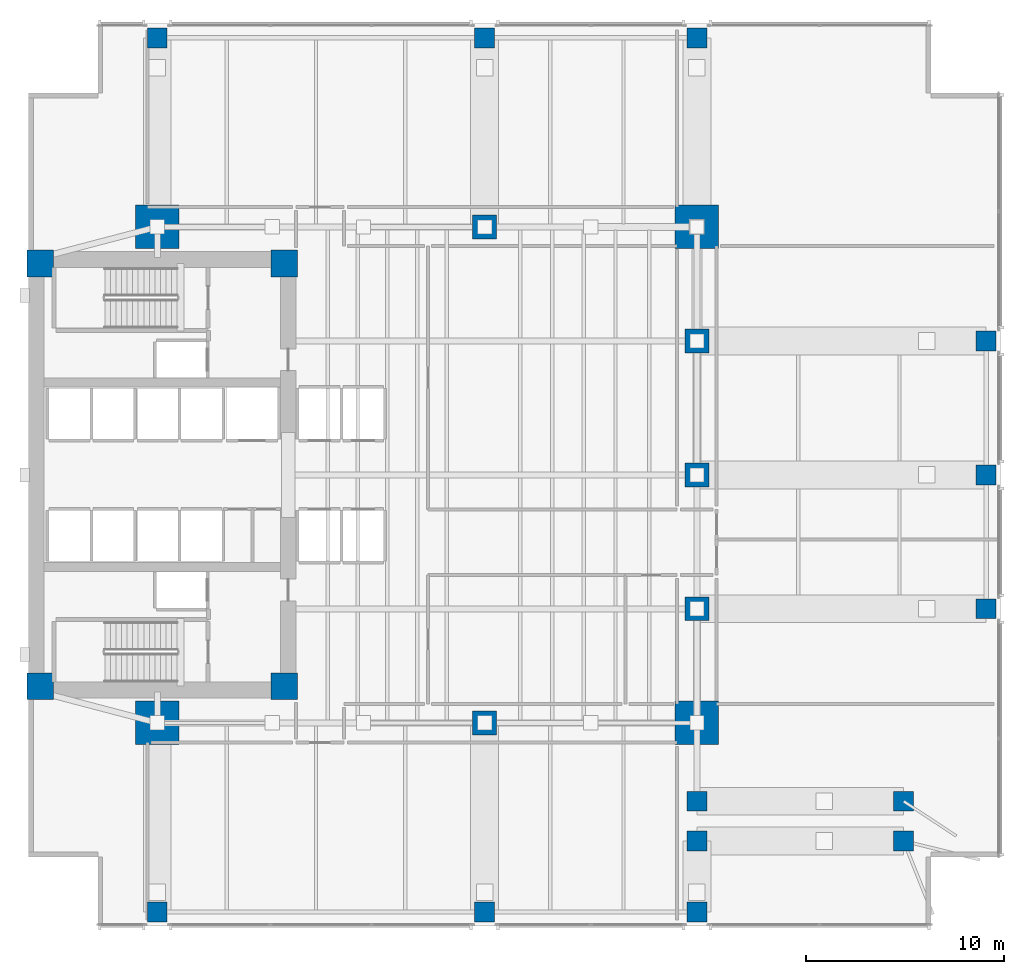
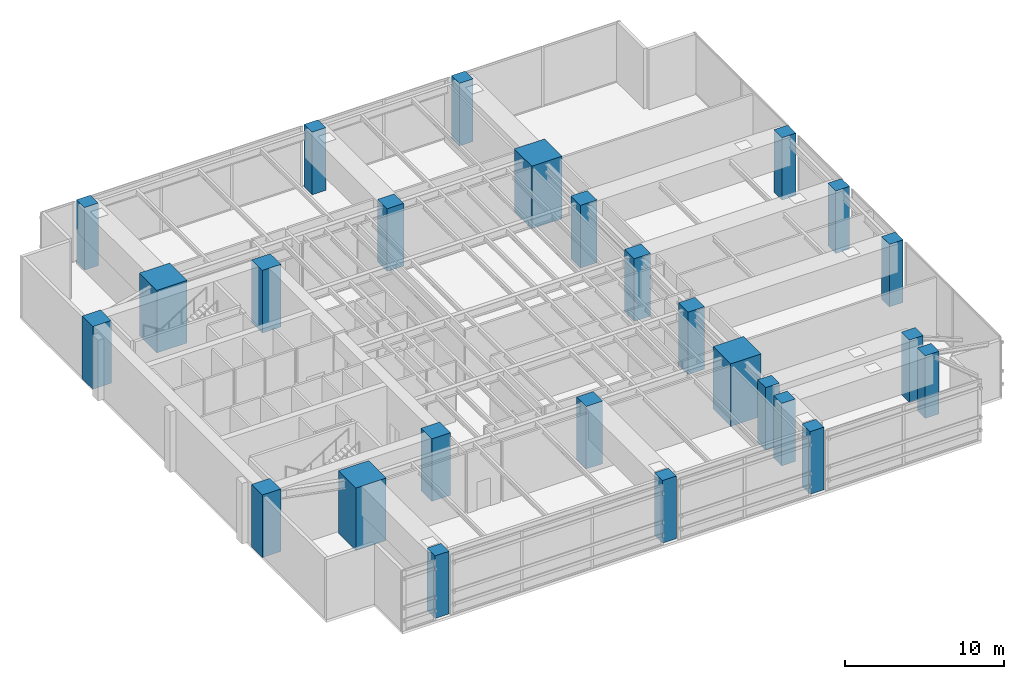
# One storey, part 1 of 14: 26 columns.
"""IFC4 building model written with IfcOpenShell, lengths in metres."""

from ifc_helpers import new_model, si_unit, direction, frame, origin, origin_2d, place, context, subcontext, project, spatial, rectangle, extrude, material, material_profile, profile_set, type_object, element, save


model = new_model("IFC4")

# Units and contexts
model_context = context("Model", 3, precision=1e-05, world=origin(), true_north=direction((0.0, 1.0)))
body_context = subcontext(model_context, "Body", "Model", "MODEL_VIEW")
ifc_project = project(units=[si_unit("LENGTHUNIT", "METRE"), si_unit("AREAUNIT", "SQUARE_METRE"), si_unit("VOLUMEUNIT", "CUBIC_METRE"), si_unit("PLANEANGLEUNIT", "RADIAN"), si_unit("MASSUNIT", "GRAM", prefix="KILO")], contexts=[model_context])

# Site, building, storey
site_placement = place(None, origin())
site = spatial("IfcSite", under=ifc_project, at=site_placement, CompositionType="ELEMENT")
building_placement = place(site_placement, origin())
building = spatial("IfcBuilding", under=site, at=building_placement, Name="Kinhvarn Gate Tower", CompositionType="ELEMENT")
storey_placement = place(building_placement, frame((0.0, 0.0, 93.050048828125)))
storey = spatial("IfcBuildingStorey", under=building, at=storey_placement, Name="L24", CompositionType="ELEMENT", Elevation=93.050048828125)

# Columns
ifc_material_1 = material(Name="Concrete C70/85", Category="concrete")
ifc_material_profile_1 = material_profile(ifc_material_1, rectangle(XDim=2.199951171875, YDim=2.199951171875, at=origin_2d()), Name="RC 2200x2200")
ifc_profile_set_1 = profile_set([ifc_material_profile_1], Name="Concrete C70/85")
column_type_1 = type_object("IfcColumnType", Name="COL-MC-2200", PredefinedType="COLUMN", material=ifc_profile_set_1)
for number, where, z_axis, x_axis, name in (
    (1, (11.0, 12.75, 0.0), (0.0, 0.0, 1.0), (1.0, 0.0, 0.0), "Column MC1-L24 (MC-22)"),
    (2, (11.0, 37.75, 0.0), (0.0, 0.0, 1.0), (1.0, 0.0, 0.0), "Column MC4-L24 (MC-22)"),
    (3, (38.199951171875, 12.75, 0.0), (0.0, 0.0, 1.0), (1.0, 0.0, 0.0), "Column MC2-L24 (MC-22)"),
    (4, (38.199951171875, 37.75, 0.0), (0.0, 0.0, 1.0), (1.0, 0.0, 0.0), "Column MC3-L24 (MC-22)"),
):
    element("IfcColumn", number, at=place(storey_placement, frame(where, z_axis=z_axis, x_axis=x_axis)), inside=storey, type_object=column_type_1, Name=name, PredefinedType="COLUMN", context=body_context, shape_type="SweptSolid", body=[
        extrude(rectangle(XDim=2.199951171875, YDim=2.199951171875, at=origin_2d()), origin(), (0.0, 0.0, 1.0), 4.800048828125),
    ])
ifc_material_2 = material(Name="Concrete C60/75", Category="concrete")
ifc_material_profile_2 = material_profile(ifc_material_2, rectangle(XDim=1.0, YDim=1.0, at=origin_2d()), Name="RC 1000x1000")
ifc_profile_set_2 = profile_set([ifc_material_profile_2], Name="Concrete C60/75")
column_type_2 = type_object("IfcColumnType", Name="COL-RC-1000", PredefinedType="COLUMN", material=ifc_profile_set_2)
for number, where, z_axis, x_axis, name in (
    (5, (48.6201171875, 6.800048828125, 0.0), (0.0, 0.0, 1.0), (1.0, 0.0, 0.0), "Column CS-SE1-L24 (C-100)"),
    (6, (38.199951171875, 6.800048828125, 0.0), (0.0, 0.0, 1.0), (1.0, 0.0, 0.0), "Column CS-ANC68-L24 (C-100)"),
    (7, (38.199951171875, 8.800048828125, 0.0), (0.0, 0.0, 1.0), (1.0, 0.0, 0.0), "Column CS-ANC88-L24 (C-100)"),
    (8, (48.6201171875, 8.800048828125, 0.0), (0.0, 0.0, 1.0), (1.0, 0.0, 0.0), "Column CS-SE1B-L24 (C-100)"),
    (9, (52.780029296875, 18.5, 0.0), (0.0, 0.0, 1.0), (1.0, 0.0, 0.0), "Column CE-1-L24 (C-100)"),
    (10, (52.780029296875, 25.25, 0.0), (0.0, 0.0, 1.0), (1.0, 0.0, 0.0), "Column CE-2-L24 (C-100)"),
    (11, (52.780029296875, 32.0, 0.0), (0.0, 0.0, 1.0), (1.0, 0.0, 0.0), "Column CE-3-L24 (C-100)"),
    (12, (11.0, 3.219970703125, 0.0), (0.0, 0.0, 1.0), (1.0, 0.0, 0.0), "Column CS-0-L24 (C-100)"),
    (13, (27.5, 3.219970703125, 0.0), (0.0, 0.0, 1.0), (1.0, 0.0, 0.0), "Column CS-1-L24 (C-100)"),
    (14, (38.199951171875, 3.219970703125, 0.0), (0.0, 0.0, 1.0), (1.0, 0.0, 0.0), "Column CS-2-L24 (C-100)"),
    (15, (11.0, 47.280029296875, 0.0), (0.0, 0.0, 1.0), (1.0, 0.0, 0.0), "Column CN-0-L24 (C-100)"),
    (16, (27.5, 47.280029296875, 0.0), (0.0, 0.0, 1.0), (1.0, 0.0, 0.0), "Column CN-1-L24 (C-100)"),
    (17, (38.199951171875, 47.280029296875, 0.0), (0.0, 0.0, 1.0), (1.0, 0.0, 0.0), "Column CN-2-L24 (C-100)"),
):
    element("IfcColumn", number, at=place(storey_placement, frame(where, z_axis=z_axis, x_axis=x_axis)), inside=storey, type_object=column_type_2, Name=name, PredefinedType="COLUMN", context=body_context, shape_type="SweptSolid", body=[
        extrude(rectangle(XDim=1.0, YDim=1.0, at=origin_2d()), origin(), (0.0, 0.0, 1.0), 4.800048828125),
    ])
ifc_material_profile_3 = material_profile(ifc_material_2, rectangle(XDim=1.199951171875, YDim=1.199951171875, at=origin_2d()), Name="RC 1200x1200")
ifc_profile_set_3 = profile_set([ifc_material_profile_3], Name="Concrete C60/75")
column_type_3 = type_object("IfcColumnType", Name="COL-RC-1200", PredefinedType="COLUMN", material=ifc_profile_set_3)
for number, where, z_axis, x_axis, name in (
    (18, (27.5, 12.75, 0.0), (0.0, 0.0, 1.0), (1.0, 0.0, 0.0), "Column SP27-S-L24 (C-120)"),
    (19, (27.5, 37.75, 0.0), (0.0, 0.0, 1.0), (1.0, 0.0, 0.0), "Column SP27-N-L24 (C-120)"),
    (20, (38.199951171875, 18.5, 0.0), (0.0, 0.0, 1.0), (1.0, 0.0, 0.0), "Column SP38-E1-L24 (C-120)"),
    (21, (38.199951171875, 25.25, 0.0), (0.0, 0.0, 1.0), (1.0, 0.0, 0.0), "Column SP38-E2-L24 (C-120)"),
    (22, (38.199951171875, 32.0, 0.0), (0.0, 0.0, 1.0), (1.0, 0.0, 0.0), "Column SP38-E3-L24 (C-120)"),
):
    element("IfcColumn", number, at=place(storey_placement, frame(where, z_axis=z_axis, x_axis=x_axis)), inside=storey, type_object=column_type_3, Name=name, PredefinedType="COLUMN", context=body_context, shape_type="SweptSolid", body=[
        extrude(rectangle(XDim=1.199951171875, YDim=1.199951171875, at=origin_2d()), origin(), (0.0, 0.0, 1.0), 4.800048828125),
    ])
ifc_material_profile_4 = material_profile(ifc_material_1, rectangle(XDim=1.35009765625, YDim=1.35009765625, at=origin_2d()), Name="RC 1350x1350")
ifc_profile_set_4 = profile_set([ifc_material_profile_4], Name="Concrete C70/85")
column_type_4 = type_object("IfcColumnType", Name="PIL-RC-1350", PredefinedType="PILASTER", material=ifc_profile_set_4)
for number, where, z_axis, x_axis, name in (
    (23, (5.10009765625, 14.60009765625, 0.0), (0.0, 0.0, 1.0), (1.0, 0.0, 0.0), "Column CC-SW-L24 (CP-135)"),
    (24, (5.10009765625, 35.89990234375, 0.0), (0.0, 0.0, 1.0), (1.0, 0.0, 0.0), "Column CC-NW-L24 (CP-135)"),
    (25, (17.39990234375, 14.60009765625, 0.0), (0.0, 0.0, 1.0), (1.0, 0.0, 0.0), "Column CC-SE-L24 (CP-135)"),
    (26, (17.39990234375, 35.89990234375, 0.0), (0.0, 0.0, 1.0), (1.0, 0.0, 0.0), "Column CC-NE-L24 (CP-135)"),
):
    element("IfcColumn", number, at=place(storey_placement, frame(where, z_axis=z_axis, x_axis=x_axis)), inside=storey, type_object=column_type_4, Name=name, PredefinedType="PILASTER", context=body_context, shape_type="SweptSolid", body=[
        extrude(rectangle(XDim=1.35009765625, YDim=1.35009765625, at=origin_2d()), origin(), (0.0, 0.0, 1.0), 4.800048828125),
    ])

save(model, "model.ifc")
